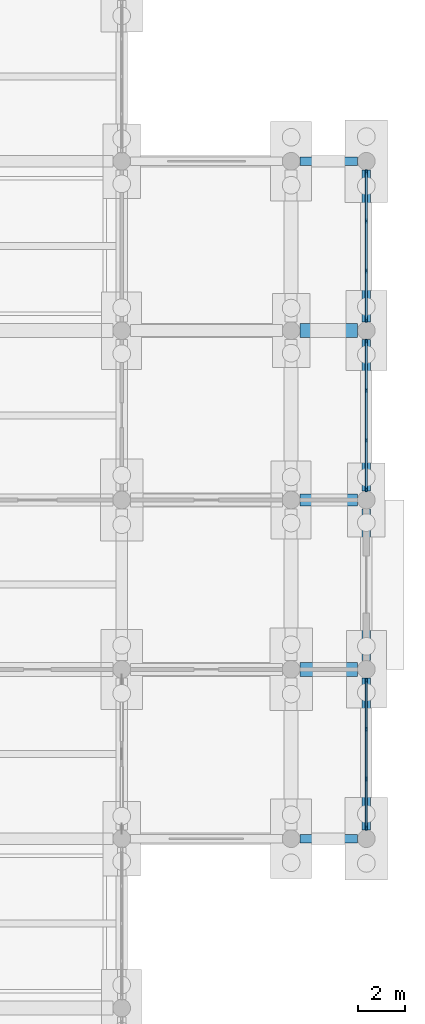
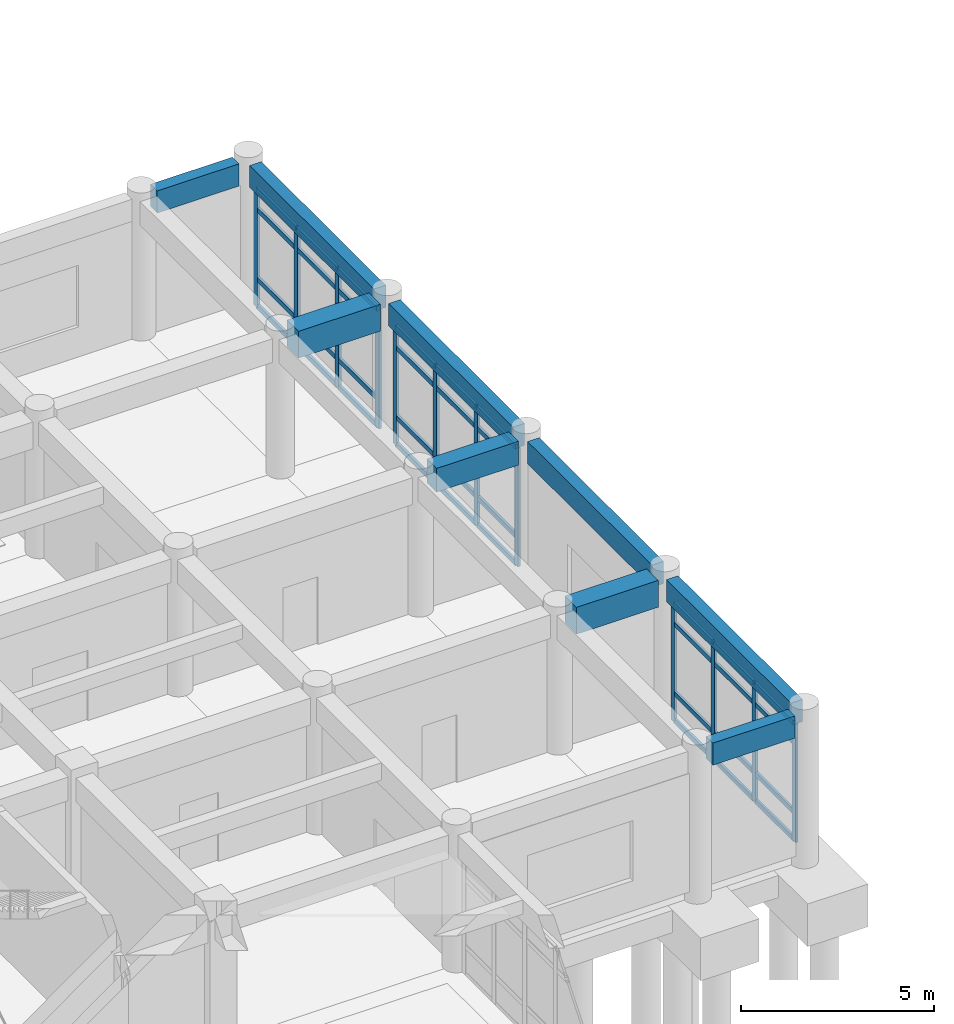
# One storey, part 39 of 79: 48 members, 9 beams, 3 elements without a shape of their own.
"""IFC4 building model written with IfcOpenShell, lengths in metres."""

from ifc_helpers import new_model, si_unit, direction, frame, origin, origin_2d, place, context, subcontext, project, spatial, rectangle, extrude, material, layer, layer_set, material_profile, profile_set, type_object, element, aggregate, save


model = new_model("IFC4")

# Units and contexts
model_context = context("Model", 3, precision=1e-05, world=origin(), true_north=direction((0.0, 1.0)))
body_context = subcontext(model_context, "Body", "Model", "MODEL_VIEW")
ifc_project = project(units=[si_unit("LENGTHUNIT", "METRE"), si_unit("AREAUNIT", "SQUARE_METRE"), si_unit("VOLUMEUNIT", "CUBIC_METRE"), si_unit("PLANEANGLEUNIT", "RADIAN"), si_unit("MASSUNIT", "GRAM", prefix="KILO")], contexts=[model_context])

# Site, building, storey
site_placement = place(None, origin())
site = spatial("IfcSite", under=ifc_project, at=site_placement, CompositionType="ELEMENT")
building_placement = place(site_placement, origin())
building = spatial("IfcBuilding", under=site, at=building_placement, Name="Kavelor Marine Aquarium", CompositionType="ELEMENT")
storey_placement = place(building_placement, origin())
storey = spatial("IfcBuildingStorey", under=building, at=storey_placement, Name="L00", CompositionType="ELEMENT", Elevation=0.0)

# Beams
ifc_material_1 = material(Name="Concrete C40/50", Category="concrete")
ifc_material_profile_1 = material_profile(ifc_material_1, rectangle(XDim=0.60009765625, YDim=0.85009765625, at=origin_2d()), Name="RC-BM 600x850")
ifc_profile_set_1 = profile_set([ifc_material_profile_1], Name="Concrete C40/50")
beam_type_1 = type_object("IfcBeamType", Name="BM-B1", PredefinedType="BEAM", material=ifc_profile_set_1)
for number, where, z_axis, x_axis, name in (
    (1, (161.97509765625, 74.800048828125, 4.034912109375), (1.0, 0.0, 0.0), (0.0, 1.0, 0.0), "bm:x:L00:L01:22_10"),
    (2, (161.97509765625, 89.199951171875, 4.034912109375), (1.0, 0.0, 0.0), (0.0, 1.0, 0.0), "bm:x:L00:L01:22_12"),
):
    element("IfcBeam", number, at=place(storey_placement, frame(where, z_axis=z_axis, x_axis=x_axis)), inside=storey, type_object=beam_type_1, Name=name, PredefinedType="BEAM", context=body_context, shape_type="SweptSolid", body=[
        extrude(rectangle(XDim=0.60009765625, YDim=0.85009765625, at=origin_2d()), origin(), (0.0, 0.0, 1.0), 2.449951171875),
    ])
ifc_material_2 = material(Name="Concrete C40/50", Category="concrete")
ifc_material_profile_2 = material_profile(ifc_material_2, rectangle(XDim=0.5, YDim=0.75, at=origin_2d()), Name="RC-BM 500x750")
ifc_profile_set_2 = profile_set([ifc_material_profile_2], Name="Concrete C40/50")
beam_type_2 = type_object("IfcBeamType", Name="BM-B2", PredefinedType="BEAM", material=ifc_profile_set_2)
beam_placement = place(storey_placement, frame((161.97509765625, 82.0, 4.0849609375), z_axis=(1.0, 0.0, 0.0), x_axis=(0.0, 1.0, 0.0)))
element("IfcBeam", 3, at=beam_placement, inside=storey, type_object=beam_type_2, Name="bm:x:L00:L01:22_11", PredefinedType="BEAM", context=body_context, shape_type="SweptSolid", body=[
    extrude(rectangle(XDim=0.5, YDim=0.75, at=origin_2d()), origin(), (0.0, 0.0, 1.0), 2.449951171875),
])
ifc_material_3 = material(Name="Concrete C40/50", Category="concrete")
ifc_material_profile_3 = material_profile(ifc_material_3, rectangle(XDim=0.35009765625, YDim=0.699951171875, at=origin_2d()), Name="RC-SP 350x700")
ifc_profile_set_3 = profile_set([ifc_material_profile_3], Name="Concrete C40/50")
beam_type_3 = type_object("IfcBeamType", Name="BM-SP1", PredefinedType="SPANDREL", material=ifc_profile_set_3)
for number, where, z_axis, x_axis, name in (
    (4, (161.97509765625, 67.60009765625, 4.110107421875), (1.0, 0.0, 0.0), (0.0, 1.0, 0.0), "bm:x:L00:L01:22_09"),
    (5, (161.97509765625, 96.39990234375, 4.110107421875), (1.0, 0.0, 0.0), (0.0, 1.0, 0.0), "bm:x:L00:L01:22_13"),
):
    element("IfcBeam", number, at=place(storey_placement, frame(where, z_axis=z_axis, x_axis=x_axis)), inside=storey, type_object=beam_type_3, Name=name, PredefinedType="SPANDREL", context=body_context, shape_type="SweptSolid", body=[
        extrude(rectangle(XDim=0.35009765625, YDim=0.699951171875, at=origin_2d()), origin(), (0.0, 0.0, 1.0), 2.449951171875),
    ])
for number, where, z_axis, x_axis, name in (
    (6, (164.800048828125, 67.97509765625, 4.110107421875), (0.0, 1.0, 0.0), (-1.0, 0.0, 0.0), "bm:y:L00:L01:23_09"),
    (7, (164.800048828125, 75.175048828125, 4.110107421875), (0.0, 1.0, 0.0), (-1.0, 0.0, 0.0), "bm:y:L00:L01:23_10"),
    (8, (164.800048828125, 82.375, 4.110107421875), (0.0, 1.0, 0.0), (-1.0, 0.0, 0.0), "bm:y:L00:L01:23_11"),
    (9, (164.800048828125, 89.574951171875, 4.110107421875), (0.0, 1.0, 0.0), (-1.0, 0.0, 0.0), "bm:y:L00:L01:23_12"),
):
    element("IfcBeam", number, at=place(storey_placement, frame(where, z_axis=z_axis, x_axis=x_axis)), inside=storey, type_object=beam_type_3, Name=name, PredefinedType="SPANDREL", context=body_context, shape_type="SweptSolid", body=[
        extrude(rectangle(XDim=0.35009765625, YDim=0.699951171875, at=origin_2d()), origin(), (0.0, 0.0, 1.0), 6.449951171875),
    ])

# Curtain wall, members
ifc_material_4 = material(Name="Thermally Broken Aluminium and Low-E Glass", Category="aluminium")
ifc_layer_1 = layer(ifc_material_4, 0.2919921875)
ifc_layer_set_1 = layer_set([ifc_layer_1], Name="CW-SYS19")
curtain_wall_type_1 = type_object("IfcCurtainWallType", Name="CW-SYS19", PredefinedType="USERDEFINED", material=ifc_layer_set_1)
curtain_wall_1_placement = place(storey_placement, origin())
curtain_wall_1 = element("IfcCurtainWall", 10, at=curtain_wall_1_placement, inside=storey, type_object=curtain_wall_type_1, Name="cw:y:L00:23_09", ObjectType="Curtain Wall", PredefinedType="USERDEFINED")
ifc_material_5 = material(Name="Anodised Aluminium Alloy 6063-T6", Category="aluminium")
ifc_material_profile_4 = material_profile(ifc_material_5, rectangle(XDim=0.074951171875, YDim=0.179931640625, at=origin_2d()), Name="CW-MUL 75x180")
ifc_profile_set_4 = profile_set([ifc_material_profile_4], Name="Anodised Aluminium Alloy 6063-T6")
member_type_1 = type_object("IfcMemberType", Name="CWM-1", PredefinedType="MULLION", material=ifc_profile_set_4)
member_1_placement = place(storey_placement, frame((164.800048828125, 68.0576171875, 0.0), z_axis=(0.0, 0.0, 1.0), x_axis=(-1.0, 0.0, 0.0)))
member_1 = element("IfcMember", 11, at=member_1_placement, type_object=member_type_1, Name="CW19 mullion 1", PredefinedType="MULLION", context=body_context, shape_type="SweptSolid", body=[
    extrude(rectangle(XDim=0.074951171875, YDim=0.179931640625, at=origin_2d()), origin(), (0.0, 0.0, 1.0), 3.75),
])
member_2_placement = place(storey_placement, frame((164.800048828125, 70.139892578125, 0.0), z_axis=(0.0, 0.0, 1.0), x_axis=(-1.0, 0.0, 0.0)))
member_2 = element("IfcMember", 12, at=member_2_placement, type_object=member_type_1, Name="CW19 mullion 2", PredefinedType="MULLION", context=body_context, shape_type="SweptSolid", body=[
    extrude(rectangle(XDim=0.074951171875, YDim=0.179931640625, at=origin_2d()), origin(), (0.0, 0.0, 1.0), 3.75),
])
member_3_placement = place(storey_placement, frame((164.800048828125, 72.260009765625, 0.0), z_axis=(0.0, 0.0, 1.0), x_axis=(-1.0, 0.0, 0.0)))
member_3 = element("IfcMember", 13, at=member_3_placement, type_object=member_type_1, Name="CW19 mullion 3", PredefinedType="MULLION", context=body_context, shape_type="SweptSolid", body=[
    extrude(rectangle(XDim=0.074951171875, YDim=0.179931640625, at=origin_2d()), origin(), (0.0, 0.0, 1.0), 3.75),
])
member_4_placement = place(storey_placement, frame((164.800048828125, 74.342529296875, 0.0), z_axis=(0.0, 0.0, 1.0), x_axis=(-1.0, 0.0, 0.0)))
member_4 = element("IfcMember", 14, at=member_4_placement, type_object=member_type_1, Name="CW19 mullion 4", PredefinedType="MULLION", context=body_context, shape_type="SweptSolid", body=[
    extrude(rectangle(XDim=0.074951171875, YDim=0.179931640625, at=origin_2d()), origin(), (0.0, 0.0, 1.0), 3.75),
])

ifc_material_6 = material(Name="Thermally Broken Aluminium and Low-E Glass", Category="aluminium")
ifc_layer_2 = layer(ifc_material_6, 0.300048828125)
ifc_layer_set_2 = layer_set([ifc_layer_2], Name="CW-SYS20")
curtain_wall_type_2 = type_object("IfcCurtainWallType", Name="CW-SYS20", PredefinedType="USERDEFINED", material=ifc_layer_set_2)
curtain_wall_2_placement = place(storey_placement, origin())
curtain_wall_2 = element("IfcCurtainWall", 15, at=curtain_wall_2_placement, inside=storey, type_object=curtain_wall_type_2, Name="cw:y:L00:23_11", ObjectType="Curtain Wall", PredefinedType="USERDEFINED")
ifc_material_7 = material(Name="Anodised Aluminium Alloy 6063-T6", Category="aluminium")
ifc_material_profile_5 = material_profile(ifc_material_7, rectangle(XDim=0.080078125, YDim=0.18505859375, at=origin_2d()), Name="CW-MUL 80x185")
ifc_profile_set_5 = profile_set([ifc_material_profile_5], Name="Anodised Aluminium Alloy 6063-T6")
member_type_2 = type_object("IfcMemberType", Name="CWM-2", PredefinedType="MULLION", material=ifc_profile_set_5)
member_5_placement = place(storey_placement, frame((164.800048828125, 82.452392578125, 0.0), z_axis=(0.0, 0.0, 1.0), x_axis=(-1.0, 0.0, 0.0)))
member_5 = element("IfcMember", 16, at=member_5_placement, type_object=member_type_2, Name="CW20 mullion 1", PredefinedType="MULLION", context=body_context, shape_type="SweptSolid", body=[
    extrude(rectangle(XDim=0.080078125, YDim=0.18505859375, at=origin_2d()), origin(), (0.0, 0.0, 1.0), 3.75),
])
member_6_placement = place(storey_placement, frame((164.800048828125, 84.5400390625, 0.0), z_axis=(0.0, 0.0, 1.0), x_axis=(-1.0, 0.0, 0.0)))
member_6 = element("IfcMember", 17, at=member_6_placement, type_object=member_type_2, Name="CW20 mullion 2", PredefinedType="MULLION", context=body_context, shape_type="SweptSolid", body=[
    extrude(rectangle(XDim=0.080078125, YDim=0.18505859375, at=origin_2d()), origin(), (0.0, 0.0, 1.0), 3.75),
])
member_7_placement = place(storey_placement, frame((164.800048828125, 86.659912109375, 0.0), z_axis=(0.0, 0.0, 1.0), x_axis=(-1.0, 0.0, 0.0)))
member_7 = element("IfcMember", 18, at=member_7_placement, type_object=member_type_2, Name="CW20 mullion 3", PredefinedType="MULLION", context=body_context, shape_type="SweptSolid", body=[
    extrude(rectangle(XDim=0.080078125, YDim=0.18505859375, at=origin_2d()), origin(), (0.0, 0.0, 1.0), 3.75),
])
member_8_placement = place(storey_placement, frame((164.800048828125, 88.74755859375, 0.0), z_axis=(0.0, 0.0, 1.0), x_axis=(-1.0, 0.0, 0.0)))
member_8 = element("IfcMember", 19, at=member_8_placement, type_object=member_type_2, Name="CW20 mullion 4", PredefinedType="MULLION", context=body_context, shape_type="SweptSolid", body=[
    extrude(rectangle(XDim=0.080078125, YDim=0.18505859375, at=origin_2d()), origin(), (0.0, 0.0, 1.0), 3.75),
])

ifc_material_8 = material(Name="Thermally Broken Aluminium and Low-E Glass", Category="aluminium")
ifc_layer_3 = layer(ifc_material_8, 0.30810546875)
ifc_layer_set_3 = layer_set([ifc_layer_3], Name="CW-SYS21")
curtain_wall_type_3 = type_object("IfcCurtainWallType", Name="CW-SYS21", PredefinedType="USERDEFINED", material=ifc_layer_set_3)
curtain_wall_3_placement = place(storey_placement, origin())
curtain_wall_3 = element("IfcCurtainWall", 20, at=curtain_wall_3_placement, inside=storey, type_object=curtain_wall_type_3, Name="cw:y:L00:23_12", ObjectType="Curtain Wall", PredefinedType="USERDEFINED")
ifc_material_9 = material(Name="Anodised Aluminium Alloy 6063-T6", Category="aluminium")
ifc_material_profile_6 = material_profile(ifc_material_9, rectangle(XDim=0.0849609375, YDim=0.18994140625, at=origin_2d()), Name="CW-MUL 85x190")
ifc_profile_set_6 = profile_set([ifc_material_profile_6], Name="Anodised Aluminium Alloy 6063-T6")
member_type_3 = type_object("IfcMemberType", Name="CWM-3", PredefinedType="MULLION", material=ifc_profile_set_6)
member_9_placement = place(storey_placement, frame((164.800048828125, 89.64990234375, 0.0), z_axis=(0.0, 0.0, 1.0), x_axis=(-1.0, 0.0, 0.0)))
member_9 = element("IfcMember", 21, at=member_9_placement, type_object=member_type_3, Name="CW21 mullion 1", PredefinedType="MULLION", context=body_context, shape_type="SweptSolid", body=[
    extrude(rectangle(XDim=0.0849609375, YDim=0.18994140625, at=origin_2d()), origin(), (0.0, 0.0, 1.0), 3.75),
])
member_10_placement = place(storey_placement, frame((164.800048828125, 91.739990234375, 0.0), z_axis=(0.0, 0.0, 1.0), x_axis=(-1.0, 0.0, 0.0)))
member_10 = element("IfcMember", 22, at=member_10_placement, type_object=member_type_3, Name="CW21 mullion 2", PredefinedType="MULLION", context=body_context, shape_type="SweptSolid", body=[
    extrude(rectangle(XDim=0.0849609375, YDim=0.18994140625, at=origin_2d()), origin(), (0.0, 0.0, 1.0), 3.75),
])
member_11_placement = place(storey_placement, frame((164.800048828125, 93.860107421875, 0.0), z_axis=(0.0, 0.0, 1.0), x_axis=(-1.0, 0.0, 0.0)))
member_11 = element("IfcMember", 23, at=member_11_placement, type_object=member_type_3, Name="CW21 mullion 3", PredefinedType="MULLION", context=body_context, shape_type="SweptSolid", body=[
    extrude(rectangle(XDim=0.0849609375, YDim=0.18994140625, at=origin_2d()), origin(), (0.0, 0.0, 1.0), 3.75),
])
member_12_placement = place(storey_placement, frame((164.800048828125, 95.949951171875, 0.0), z_axis=(0.0, 0.0, 1.0), x_axis=(-1.0, 0.0, 0.0)))
member_12 = element("IfcMember", 24, at=member_12_placement, type_object=member_type_3, Name="CW21 mullion 4", PredefinedType="MULLION", context=body_context, shape_type="SweptSolid", body=[
    extrude(rectangle(XDim=0.0849609375, YDim=0.18994140625, at=origin_2d()), origin(), (0.0, 0.0, 1.0), 3.75),
])

# Member
ifc_material_10 = material(Name="Anodised Aluminium Alloy 6063-T6", Category="aluminium")
ifc_material_profile_7 = material_profile(ifc_material_10, rectangle(XDim=0.074951171875, YDim=0.14990234375, at=origin_2d()), Name="CW-TRN 75x150")
ifc_profile_set_7 = profile_set([ifc_material_profile_7], Name="Anodised Aluminium Alloy 6063-T6")
member_type_4 = type_object("IfcMemberType", Name="CWT-1", PredefinedType="USERDEFINED", material=ifc_profile_set_7)
member_13_placement = place(storey_placement, frame((164.800048828125, 68.094970703125, 0.03759765625), z_axis=(0.0, 1.0, 0.0), x_axis=(-1.0, 0.0, 0.0)))
member_13 = element("IfcMember", 25, at=member_13_placement, type_object=member_type_4, Name="CW19 transom 1.1", ObjectType="TRANSOM", PredefinedType="USERDEFINED", context=body_context, shape_type="SweptSolid", body=[
    extrude(rectangle(XDim=0.074951171875, YDim=0.14990234375, at=origin_2d()), origin(), (0.0, 0.0, 1.0), 2.007568359375),
])

member_14_placement = place(storey_placement, frame((164.800048828125, 68.094970703125, 0.89990234375), z_axis=(0.0, 1.0, 0.0), x_axis=(-1.0, 0.0, 0.0)))
member_14 = element("IfcMember", 26, at=member_14_placement, type_object=member_type_4, Name="CW19 transom 1.2", ObjectType="TRANSOM", PredefinedType="USERDEFINED", context=body_context, shape_type="SweptSolid", body=[
    extrude(rectangle(XDim=0.074951171875, YDim=0.14990234375, at=origin_2d()), origin(), (0.0, 0.0, 1.0), 2.007568359375),
])

member_15_placement = place(storey_placement, frame((164.800048828125, 68.094970703125, 3.10009765625), z_axis=(0.0, 1.0, 0.0), x_axis=(-1.0, 0.0, 0.0)))
member_15 = element("IfcMember", 27, at=member_15_placement, type_object=member_type_4, Name="CW19 transom 1.3", ObjectType="TRANSOM", PredefinedType="USERDEFINED", context=body_context, shape_type="SweptSolid", body=[
    extrude(rectangle(XDim=0.074951171875, YDim=0.14990234375, at=origin_2d()), origin(), (0.0, 0.0, 1.0), 2.007568359375),
])

member_16_placement = place(storey_placement, frame((164.800048828125, 68.094970703125, 3.71240234375), z_axis=(0.0, 1.0, 0.0), x_axis=(-1.0, 0.0, 0.0)))
member_16 = element("IfcMember", 28, at=member_16_placement, type_object=member_type_4, Name="CW19 transom 1.4", ObjectType="TRANSOM", PredefinedType="USERDEFINED", context=body_context, shape_type="SweptSolid", body=[
    extrude(rectangle(XDim=0.074951171875, YDim=0.14990234375, at=origin_2d()), origin(), (0.0, 0.0, 1.0), 2.007568359375),
])

member_17_placement = place(storey_placement, frame((164.800048828125, 70.177490234375, 0.03759765625), z_axis=(0.0, 1.0, 0.0), x_axis=(-1.0, 0.0, 0.0)))
member_17 = element("IfcMember", 29, at=member_17_placement, type_object=member_type_4, Name="CW19 transom 2.1", ObjectType="TRANSOM", PredefinedType="USERDEFINED", context=body_context, shape_type="SweptSolid", body=[
    extrude(rectangle(XDim=0.074951171875, YDim=0.14990234375, at=origin_2d()), origin(), (0.0, 0.0, 1.0), 2.044921875),
])

member_18_placement = place(storey_placement, frame((164.800048828125, 70.177490234375, 0.89990234375), z_axis=(0.0, 1.0, 0.0), x_axis=(-1.0, 0.0, 0.0)))
member_18 = element("IfcMember", 30, at=member_18_placement, type_object=member_type_4, Name="CW19 transom 2.2", ObjectType="TRANSOM", PredefinedType="USERDEFINED", context=body_context, shape_type="SweptSolid", body=[
    extrude(rectangle(XDim=0.074951171875, YDim=0.14990234375, at=origin_2d()), origin(), (0.0, 0.0, 1.0), 2.044921875),
])

member_19_placement = place(storey_placement, frame((164.800048828125, 70.177490234375, 3.10009765625), z_axis=(0.0, 1.0, 0.0), x_axis=(-1.0, 0.0, 0.0)))
member_19 = element("IfcMember", 31, at=member_19_placement, type_object=member_type_4, Name="CW19 transom 2.3", ObjectType="TRANSOM", PredefinedType="USERDEFINED", context=body_context, shape_type="SweptSolid", body=[
    extrude(rectangle(XDim=0.074951171875, YDim=0.14990234375, at=origin_2d()), origin(), (0.0, 0.0, 1.0), 2.044921875),
])

member_20_placement = place(storey_placement, frame((164.800048828125, 70.177490234375, 3.71240234375), z_axis=(0.0, 1.0, 0.0), x_axis=(-1.0, 0.0, 0.0)))
member_20 = element("IfcMember", 32, at=member_20_placement, type_object=member_type_4, Name="CW19 transom 2.4", ObjectType="TRANSOM", PredefinedType="USERDEFINED", context=body_context, shape_type="SweptSolid", body=[
    extrude(rectangle(XDim=0.074951171875, YDim=0.14990234375, at=origin_2d()), origin(), (0.0, 0.0, 1.0), 2.044921875),
])

member_21_placement = place(storey_placement, frame((164.800048828125, 72.297607421875, 0.03759765625), z_axis=(0.0, 1.0, 0.0), x_axis=(-1.0, 0.0, 0.0)))
member_21 = element("IfcMember", 33, at=member_21_placement, type_object=member_type_4, Name="CW19 transom 3.1", ObjectType="TRANSOM", PredefinedType="USERDEFINED", context=body_context, shape_type="SweptSolid", body=[
    extrude(rectangle(XDim=0.074951171875, YDim=0.14990234375, at=origin_2d()), origin(), (0.0, 0.0, 1.0), 2.00732421875),
])

member_22_placement = place(storey_placement, frame((164.800048828125, 72.297607421875, 0.89990234375), z_axis=(0.0, 1.0, 0.0), x_axis=(-1.0, 0.0, 0.0)))
member_22 = element("IfcMember", 34, at=member_22_placement, type_object=member_type_4, Name="CW19 transom 3.2", ObjectType="TRANSOM", PredefinedType="USERDEFINED", context=body_context, shape_type="SweptSolid", body=[
    extrude(rectangle(XDim=0.074951171875, YDim=0.14990234375, at=origin_2d()), origin(), (0.0, 0.0, 1.0), 2.00732421875),
])

member_23_placement = place(storey_placement, frame((164.800048828125, 72.297607421875, 3.10009765625), z_axis=(0.0, 1.0, 0.0), x_axis=(-1.0, 0.0, 0.0)))
member_23 = element("IfcMember", 35, at=member_23_placement, type_object=member_type_4, Name="CW19 transom 3.3", ObjectType="TRANSOM", PredefinedType="USERDEFINED", context=body_context, shape_type="SweptSolid", body=[
    extrude(rectangle(XDim=0.074951171875, YDim=0.14990234375, at=origin_2d()), origin(), (0.0, 0.0, 1.0), 2.00732421875),
])

member_24_placement = place(storey_placement, frame((164.800048828125, 72.297607421875, 3.71240234375), z_axis=(0.0, 1.0, 0.0), x_axis=(-1.0, 0.0, 0.0)))
member_24 = element("IfcMember", 36, at=member_24_placement, type_object=member_type_4, Name="CW19 transom 3.4", ObjectType="TRANSOM", PredefinedType="USERDEFINED", context=body_context, shape_type="SweptSolid", body=[
    extrude(rectangle(XDim=0.074951171875, YDim=0.14990234375, at=origin_2d()), origin(), (0.0, 0.0, 1.0), 2.00732421875),
])

aggregate(curtain_wall_1, [member_1, member_2, member_3, member_4, member_13, member_14, member_15, member_16, member_17, member_18, member_19, member_20, member_21, member_22, member_23, member_24])

ifc_material_11 = material(Name="Anodised Aluminium Alloy 6063-T6", Category="aluminium")
ifc_material_profile_8 = material_profile(ifc_material_11, rectangle(XDim=0.080078125, YDim=0.155029296875, at=origin_2d()), Name="CW-TRN 80x155")
ifc_profile_set_8 = profile_set([ifc_material_profile_8], Name="Anodised Aluminium Alloy 6063-T6")
member_type_5 = type_object("IfcMemberType", Name="CWT-2", PredefinedType="USERDEFINED", material=ifc_profile_set_8)
member_25_placement = place(storey_placement, frame((164.800048828125, 82.485107421875, 0.032470703125), z_axis=(0.0, 1.0, 0.0), x_axis=(-1.0, 0.0, 0.0)))
member_25 = element("IfcMember", 37, at=member_25_placement, type_object=member_type_5, Name="CW20 transom 1.1", ObjectType="TRANSOM", PredefinedType="USERDEFINED", context=body_context, shape_type="SweptSolid", body=[
    extrude(rectangle(XDim=0.080078125, YDim=0.155029296875, at=origin_2d()), origin(), (0.0, 0.0, 1.0), 2.0224609375),
])

member_26_placement = place(storey_placement, frame((164.800048828125, 82.485107421875, 0.89990234375), z_axis=(0.0, 1.0, 0.0), x_axis=(-1.0, 0.0, 0.0)))
member_26 = element("IfcMember", 38, at=member_26_placement, type_object=member_type_5, Name="CW20 transom 1.2", ObjectType="TRANSOM", PredefinedType="USERDEFINED", context=body_context, shape_type="SweptSolid", body=[
    extrude(rectangle(XDim=0.080078125, YDim=0.155029296875, at=origin_2d()), origin(), (0.0, 0.0, 1.0), 2.0224609375),
])

member_27_placement = place(storey_placement, frame((164.800048828125, 82.485107421875, 3.10009765625), z_axis=(0.0, 1.0, 0.0), x_axis=(-1.0, 0.0, 0.0)))
member_27 = element("IfcMember", 39, at=member_27_placement, type_object=member_type_5, Name="CW20 transom 1.3", ObjectType="TRANSOM", PredefinedType="USERDEFINED", context=body_context, shape_type="SweptSolid", body=[
    extrude(rectangle(XDim=0.080078125, YDim=0.155029296875, at=origin_2d()), origin(), (0.0, 0.0, 1.0), 2.0224609375),
])

member_28_placement = place(storey_placement, frame((164.800048828125, 82.485107421875, 3.717529296875), z_axis=(0.0, 1.0, 0.0), x_axis=(-1.0, 0.0, 0.0)))
member_28 = element("IfcMember", 40, at=member_28_placement, type_object=member_type_5, Name="CW20 transom 1.4", ObjectType="TRANSOM", PredefinedType="USERDEFINED", context=body_context, shape_type="SweptSolid", body=[
    extrude(rectangle(XDim=0.080078125, YDim=0.155029296875, at=origin_2d()), origin(), (0.0, 0.0, 1.0), 2.0224609375),
])

member_29_placement = place(storey_placement, frame((164.800048828125, 84.572509765625, 0.032470703125), z_axis=(0.0, 1.0, 0.0), x_axis=(-1.0, 0.0, 0.0)))
member_29 = element("IfcMember", 41, at=member_29_placement, type_object=member_type_5, Name="CW20 transom 2.1", ObjectType="TRANSOM", PredefinedType="USERDEFINED", context=body_context, shape_type="SweptSolid", body=[
    extrude(rectangle(XDim=0.080078125, YDim=0.155029296875, at=origin_2d()), origin(), (0.0, 0.0, 1.0), 2.054931640625),
])

member_30_placement = place(storey_placement, frame((164.800048828125, 84.572509765625, 0.89990234375), z_axis=(0.0, 1.0, 0.0), x_axis=(-1.0, 0.0, 0.0)))
member_30 = element("IfcMember", 42, at=member_30_placement, type_object=member_type_5, Name="CW20 transom 2.2", ObjectType="TRANSOM", PredefinedType="USERDEFINED", context=body_context, shape_type="SweptSolid", body=[
    extrude(rectangle(XDim=0.080078125, YDim=0.155029296875, at=origin_2d()), origin(), (0.0, 0.0, 1.0), 2.054931640625),
])

member_31_placement = place(storey_placement, frame((164.800048828125, 84.572509765625, 3.10009765625), z_axis=(0.0, 1.0, 0.0), x_axis=(-1.0, 0.0, 0.0)))
member_31 = element("IfcMember", 43, at=member_31_placement, type_object=member_type_5, Name="CW20 transom 2.3", ObjectType="TRANSOM", PredefinedType="USERDEFINED", context=body_context, shape_type="SweptSolid", body=[
    extrude(rectangle(XDim=0.080078125, YDim=0.155029296875, at=origin_2d()), origin(), (0.0, 0.0, 1.0), 2.054931640625),
])

member_32_placement = place(storey_placement, frame((164.800048828125, 84.572509765625, 3.717529296875), z_axis=(0.0, 1.0, 0.0), x_axis=(-1.0, 0.0, 0.0)))
member_32 = element("IfcMember", 44, at=member_32_placement, type_object=member_type_5, Name="CW20 transom 2.4", ObjectType="TRANSOM", PredefinedType="USERDEFINED", context=body_context, shape_type="SweptSolid", body=[
    extrude(rectangle(XDim=0.080078125, YDim=0.155029296875, at=origin_2d()), origin(), (0.0, 0.0, 1.0), 2.054931640625),
])

member_33_placement = place(storey_placement, frame((164.800048828125, 86.6923828125, 0.032470703125), z_axis=(0.0, 1.0, 0.0), x_axis=(-1.0, 0.0, 0.0)))
member_33 = element("IfcMember", 45, at=member_33_placement, type_object=member_type_5, Name="CW20 transom 3.1", ObjectType="TRANSOM", PredefinedType="USERDEFINED", context=body_context, shape_type="SweptSolid", body=[
    extrude(rectangle(XDim=0.080078125, YDim=0.155029296875, at=origin_2d()), origin(), (0.0, 0.0, 1.0), 2.022705078125),
])

member_34_placement = place(storey_placement, frame((164.800048828125, 86.6923828125, 0.89990234375), z_axis=(0.0, 1.0, 0.0), x_axis=(-1.0, 0.0, 0.0)))
member_34 = element("IfcMember", 46, at=member_34_placement, type_object=member_type_5, Name="CW20 transom 3.2", ObjectType="TRANSOM", PredefinedType="USERDEFINED", context=body_context, shape_type="SweptSolid", body=[
    extrude(rectangle(XDim=0.080078125, YDim=0.155029296875, at=origin_2d()), origin(), (0.0, 0.0, 1.0), 2.022705078125),
])

member_35_placement = place(storey_placement, frame((164.800048828125, 86.6923828125, 3.10009765625), z_axis=(0.0, 1.0, 0.0), x_axis=(-1.0, 0.0, 0.0)))
member_35 = element("IfcMember", 47, at=member_35_placement, type_object=member_type_5, Name="CW20 transom 3.3", ObjectType="TRANSOM", PredefinedType="USERDEFINED", context=body_context, shape_type="SweptSolid", body=[
    extrude(rectangle(XDim=0.080078125, YDim=0.155029296875, at=origin_2d()), origin(), (0.0, 0.0, 1.0), 2.022705078125),
])

member_36_placement = place(storey_placement, frame((164.800048828125, 86.6923828125, 3.717529296875), z_axis=(0.0, 1.0, 0.0), x_axis=(-1.0, 0.0, 0.0)))
member_36 = element("IfcMember", 48, at=member_36_placement, type_object=member_type_5, Name="CW20 transom 3.4", ObjectType="TRANSOM", PredefinedType="USERDEFINED", context=body_context, shape_type="SweptSolid", body=[
    extrude(rectangle(XDim=0.080078125, YDim=0.155029296875, at=origin_2d()), origin(), (0.0, 0.0, 1.0), 2.022705078125),
])

aggregate(curtain_wall_2, [member_5, member_6, member_7, member_8, member_25, member_26, member_27, member_28, member_29, member_30, member_31, member_32, member_33, member_34, member_35, member_36])

member_37_placement = place(storey_placement, frame((164.800048828125, 89.679931640625, 0.032470703125), z_axis=(0.0, 1.0, 0.0), x_axis=(-1.0, 0.0, 0.0)))
member_37 = element("IfcMember", 49, at=member_37_placement, type_object=member_type_5, Name="CW21 transom 1.1", ObjectType="TRANSOM", PredefinedType="USERDEFINED", context=body_context, shape_type="SweptSolid", body=[
    extrude(rectangle(XDim=0.080078125, YDim=0.155029296875, at=origin_2d()), origin(), (0.0, 0.0, 1.0), 2.030029296875),
])

member_38_placement = place(storey_placement, frame((164.800048828125, 89.679931640625, 0.89990234375), z_axis=(0.0, 1.0, 0.0), x_axis=(-1.0, 0.0, 0.0)))
member_38 = element("IfcMember", 50, at=member_38_placement, type_object=member_type_5, Name="CW21 transom 1.2", ObjectType="TRANSOM", PredefinedType="USERDEFINED", context=body_context, shape_type="SweptSolid", body=[
    extrude(rectangle(XDim=0.080078125, YDim=0.155029296875, at=origin_2d()), origin(), (0.0, 0.0, 1.0), 2.030029296875),
])

member_39_placement = place(storey_placement, frame((164.800048828125, 89.679931640625, 3.10009765625), z_axis=(0.0, 1.0, 0.0), x_axis=(-1.0, 0.0, 0.0)))
member_39 = element("IfcMember", 51, at=member_39_placement, type_object=member_type_5, Name="CW21 transom 1.3", ObjectType="TRANSOM", PredefinedType="USERDEFINED", context=body_context, shape_type="SweptSolid", body=[
    extrude(rectangle(XDim=0.080078125, YDim=0.155029296875, at=origin_2d()), origin(), (0.0, 0.0, 1.0), 2.030029296875),
])

member_40_placement = place(storey_placement, frame((164.800048828125, 89.679931640625, 3.717529296875), z_axis=(0.0, 1.0, 0.0), x_axis=(-1.0, 0.0, 0.0)))
member_40 = element("IfcMember", 52, at=member_40_placement, type_object=member_type_5, Name="CW21 transom 1.4", ObjectType="TRANSOM", PredefinedType="USERDEFINED", context=body_context, shape_type="SweptSolid", body=[
    extrude(rectangle(XDim=0.080078125, YDim=0.155029296875, at=origin_2d()), origin(), (0.0, 0.0, 1.0), 2.030029296875),
])

member_41_placement = place(storey_placement, frame((164.800048828125, 91.77001953125, 0.032470703125), z_axis=(0.0, 1.0, 0.0), x_axis=(-1.0, 0.0, 0.0)))
member_41 = element("IfcMember", 53, at=member_41_placement, type_object=member_type_5, Name="CW21 transom 2.1", ObjectType="TRANSOM", PredefinedType="USERDEFINED", context=body_context, shape_type="SweptSolid", body=[
    extrude(rectangle(XDim=0.080078125, YDim=0.155029296875, at=origin_2d()), origin(), (0.0, 0.0, 1.0), 2.06005859375),
])

member_42_placement = place(storey_placement, frame((164.800048828125, 91.77001953125, 0.89990234375), z_axis=(0.0, 1.0, 0.0), x_axis=(-1.0, 0.0, 0.0)))
member_42 = element("IfcMember", 54, at=member_42_placement, type_object=member_type_5, Name="CW21 transom 2.2", ObjectType="TRANSOM", PredefinedType="USERDEFINED", context=body_context, shape_type="SweptSolid", body=[
    extrude(rectangle(XDim=0.080078125, YDim=0.155029296875, at=origin_2d()), origin(), (0.0, 0.0, 1.0), 2.06005859375),
])

member_43_placement = place(storey_placement, frame((164.800048828125, 91.77001953125, 3.10009765625), z_axis=(0.0, 1.0, 0.0), x_axis=(-1.0, 0.0, 0.0)))
member_43 = element("IfcMember", 55, at=member_43_placement, type_object=member_type_5, Name="CW21 transom 2.3", ObjectType="TRANSOM", PredefinedType="USERDEFINED", context=body_context, shape_type="SweptSolid", body=[
    extrude(rectangle(XDim=0.080078125, YDim=0.155029296875, at=origin_2d()), origin(), (0.0, 0.0, 1.0), 2.06005859375),
])

member_44_placement = place(storey_placement, frame((164.800048828125, 91.77001953125, 3.717529296875), z_axis=(0.0, 1.0, 0.0), x_axis=(-1.0, 0.0, 0.0)))
member_44 = element("IfcMember", 56, at=member_44_placement, type_object=member_type_5, Name="CW21 transom 2.4", ObjectType="TRANSOM", PredefinedType="USERDEFINED", context=body_context, shape_type="SweptSolid", body=[
    extrude(rectangle(XDim=0.080078125, YDim=0.155029296875, at=origin_2d()), origin(), (0.0, 0.0, 1.0), 2.06005859375),
])

member_45_placement = place(storey_placement, frame((164.800048828125, 93.889892578125, 0.032470703125), z_axis=(0.0, 1.0, 0.0), x_axis=(-1.0, 0.0, 0.0)))
member_45 = element("IfcMember", 57, at=member_45_placement, type_object=member_type_5, Name="CW21 transom 3.1", ObjectType="TRANSOM", PredefinedType="USERDEFINED", context=body_context, shape_type="SweptSolid", body=[
    extrude(rectangle(XDim=0.080078125, YDim=0.155029296875, at=origin_2d()), origin(), (0.0, 0.0, 1.0), 2.030029296875),
])

member_46_placement = place(storey_placement, frame((164.800048828125, 93.889892578125, 0.89990234375), z_axis=(0.0, 1.0, 0.0), x_axis=(-1.0, 0.0, 0.0)))
member_46 = element("IfcMember", 58, at=member_46_placement, type_object=member_type_5, Name="CW21 transom 3.2", ObjectType="TRANSOM", PredefinedType="USERDEFINED", context=body_context, shape_type="SweptSolid", body=[
    extrude(rectangle(XDim=0.080078125, YDim=0.155029296875, at=origin_2d()), origin(), (0.0, 0.0, 1.0), 2.030029296875),
])

member_47_placement = place(storey_placement, frame((164.800048828125, 93.889892578125, 3.10009765625), z_axis=(0.0, 1.0, 0.0), x_axis=(-1.0, 0.0, 0.0)))
member_47 = element("IfcMember", 59, at=member_47_placement, type_object=member_type_5, Name="CW21 transom 3.3", ObjectType="TRANSOM", PredefinedType="USERDEFINED", context=body_context, shape_type="SweptSolid", body=[
    extrude(rectangle(XDim=0.080078125, YDim=0.155029296875, at=origin_2d()), origin(), (0.0, 0.0, 1.0), 2.030029296875),
])

member_48_placement = place(storey_placement, frame((164.800048828125, 93.889892578125, 3.717529296875), z_axis=(0.0, 1.0, 0.0), x_axis=(-1.0, 0.0, 0.0)))
member_48 = element("IfcMember", 60, at=member_48_placement, type_object=member_type_5, Name="CW21 transom 3.4", ObjectType="TRANSOM", PredefinedType="USERDEFINED", context=body_context, shape_type="SweptSolid", body=[
    extrude(rectangle(XDim=0.080078125, YDim=0.155029296875, at=origin_2d()), origin(), (0.0, 0.0, 1.0), 2.030029296875),
])

aggregate(curtain_wall_3, [member_9, member_10, member_11, member_12, member_37, member_38, member_39, member_40, member_41, member_42, member_43, member_44, member_45, member_46, member_47, member_48])

save(model, "model.ifc")
